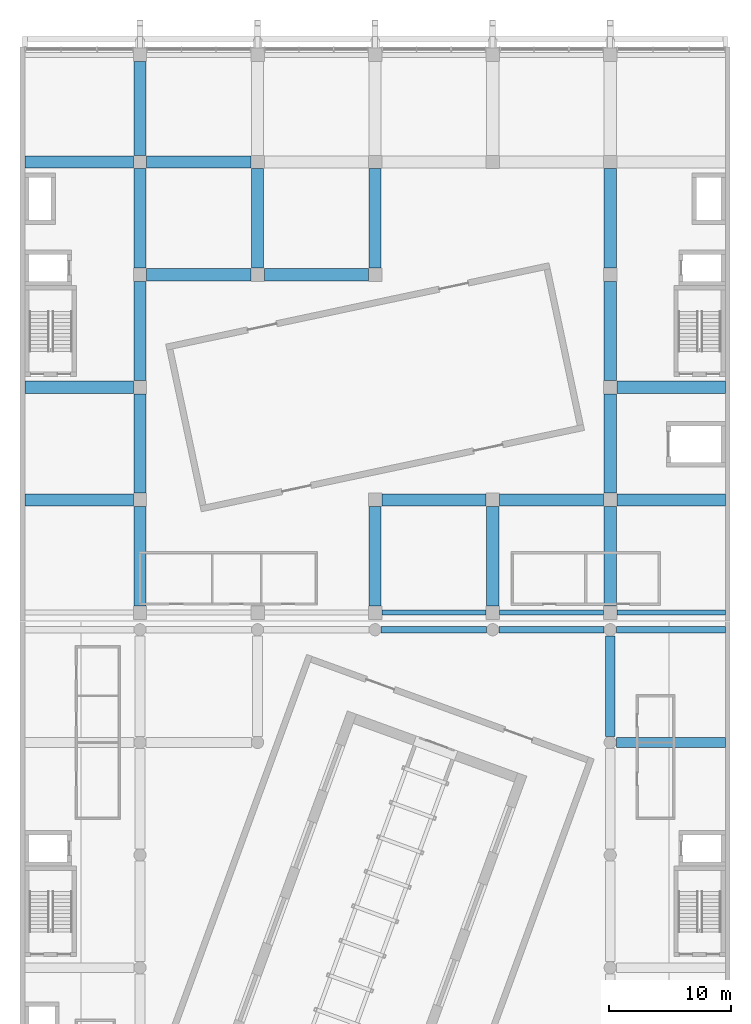
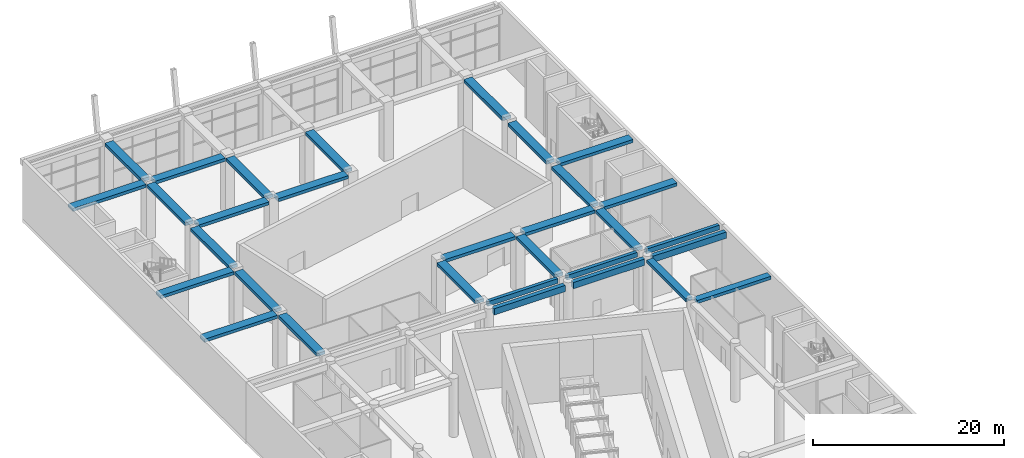
# One storey, part 7 of 36: 31 beams.
"""IFC4 building model written with IfcOpenShell, lengths in metres."""

from ifc_helpers import new_model, si_unit, direction, frame, origin, origin_2d, place, context, subcontext, project, spatial, rectangle, extrude, material, material_profile, profile_set, type_object, element, save


model = new_model("IFC4")

# Units and contexts
model_context = context("Model", 3, precision=1e-05, world=origin(), true_north=direction((0.0, 1.0)))
body_context = subcontext(model_context, "Body", "Model", "MODEL_VIEW")
ifc_project = project(units=[si_unit("LENGTHUNIT", "METRE"), si_unit("AREAUNIT", "SQUARE_METRE"), si_unit("VOLUMEUNIT", "CUBIC_METRE"), si_unit("PLANEANGLEUNIT", "RADIAN"), si_unit("MASSUNIT", "GRAM", prefix="KILO")], contexts=[model_context])

# Site, building, storey
site_placement = place(None, origin())
site = spatial("IfcSite", under=ifc_project, at=site_placement, CompositionType="ELEMENT")
building_placement = place(site_placement, origin())
building = spatial("IfcBuilding", under=site, at=building_placement, Name="Nzadi Deep Aquarium and Research Tower", CompositionType="ELEMENT")
storey_placement = place(building_placement, frame((0.0, 0.0, 14.199951171875)))
storey = spatial("IfcBuildingStorey", under=building, at=storey_placement, Name="L02", CompositionType="ELEMENT", Elevation=14.199951171875)

# Beams
ifc_material_1 = material(Name="Concrete C35/45", Category="concrete")
ifc_material_profile_1 = material_profile(ifc_material_1, rectangle(XDim=1.0, YDim=0.39990234375, at=origin_2d()))
ifc_profile_set_1 = profile_set([ifc_material_profile_1], Name="Concrete C35/45")
beam_type_1 = type_object("IfcBeamType", Name="RC 1000x400", PredefinedType="BEAM", material=ifc_profile_set_1)
beam_1_placement = place(storey_placement, frame((0.199951171875, 104.0, 6.949951171875), z_axis=(1.0, 0.0, 0.0), x_axis=(0.0, 1.0, 0.0)))
element("IfcBeam", 1, at=beam_1_placement, inside=storey, type_object=beam_type_1, Name="B-Z3-L02-L14-1", PredefinedType="BEAM", context=body_context, shape_type="SweptSolid", body=[
    extrude(rectangle(XDim=1.0, YDim=0.39990234375, at=origin_2d()), origin(), (0.0, 0.0, 1.0), 8.85009765625),
])
for number, where, z_axis, x_axis, name in (
    (2, (29.35009765625, 104.0, 6.949951171875), (1.0, 0.0, 0.0), (0.0, 1.0, 0.0), "B-Z3-L02-L14-4"),
    (3, (38.949951171875, 104.0, 6.949951171875), (1.0, 0.0, 0.0), (0.0, 1.0, 0.0), "B-Z3-L02-L14-5"),
):
    element("IfcBeam", number, at=place(storey_placement, frame(where, z_axis=z_axis, x_axis=x_axis)), inside=storey, type_object=beam_type_1, Name=name, PredefinedType="BEAM", context=body_context, shape_type="SweptSolid", body=[
        extrude(rectangle(XDim=1.0, YDim=0.39990234375, at=origin_2d()), origin(), (0.0, 0.0, 1.0), 8.5),
    ])
beam_2_placement = place(storey_placement, frame((48.550048828125, 104.0, 6.949951171875), z_axis=(1.0, 0.0, 0.0), x_axis=(0.0, 1.0, 0.0)))
element("IfcBeam", 4, at=beam_2_placement, inside=storey, type_object=beam_type_1, Name="B-Z3-L02-L14-6", PredefinedType="BEAM", context=body_context, shape_type="SweptSolid", body=[
    extrude(rectangle(XDim=1.0, YDim=0.39990234375, at=origin_2d()), origin(), (0.0, 0.0, 1.0), 8.849853515625),
])
beam_3_placement = place(storey_placement, frame((0.199951171875, 113.199951171875, 6.949951171875), z_axis=(1.0, 0.0, 0.0), x_axis=(0.0, 1.0, 0.0)))
element("IfcBeam", 5, at=beam_3_placement, inside=storey, type_object=beam_type_1, Name="B-Z3-L02-L15-1", PredefinedType="BEAM", context=body_context, shape_type="SweptSolid", body=[
    extrude(rectangle(XDim=1.0, YDim=0.39990234375, at=origin_2d()), origin(), (0.0, 0.0, 1.0), 8.85009765625),
])
beam_4_placement = place(storey_placement, frame((48.550048828125, 113.199951171875, 6.949951171875), z_axis=(1.0, 0.0, 0.0), x_axis=(0.0, 1.0, 0.0)))
element("IfcBeam", 6, at=beam_4_placement, inside=storey, type_object=beam_type_1, Name="B-Z3-L02-L15-6", PredefinedType="BEAM", context=body_context, shape_type="SweptSolid", body=[
    extrude(rectangle(XDim=1.0, YDim=0.39990234375, at=origin_2d()), origin(), (0.0, 0.0, 1.0), 8.849853515625),
])
for number, where, z_axis, x_axis, name in (
    (7, (10.14990234375, 122.39990234375, 6.949951171875), (1.0, 0.0, 0.0), (0.0, 1.0, 0.0), "B-Z3-L02-L16-2"),
    (8, (19.75, 122.39990234375, 6.949951171875), (1.0, 0.0, 0.0), (0.0, 1.0, 0.0), "B-Z3-L02-L16-3"),
):
    element("IfcBeam", number, at=place(storey_placement, frame(where, z_axis=z_axis, x_axis=x_axis)), inside=storey, type_object=beam_type_1, Name=name, PredefinedType="BEAM", context=body_context, shape_type="SweptSolid", body=[
        extrude(rectangle(XDim=1.0, YDim=0.39990234375, at=origin_2d()), origin(), (0.0, 0.0, 1.0), 8.5),
    ])
beam_5_placement = place(storey_placement, frame((0.199951171875, 131.60009765625, 6.949951171875), z_axis=(1.0, 0.0, 0.0), x_axis=(0.0, 1.0, 0.0)))
element("IfcBeam", 9, at=beam_5_placement, inside=storey, type_object=beam_type_1, Name="B-Z3-L02-L17-1", PredefinedType="BEAM", context=body_context, shape_type="SweptSolid", body=[
    extrude(rectangle(XDim=1.0, YDim=0.39990234375, at=origin_2d()), origin(), (0.0, 0.0, 1.0), 8.85009765625),
])
beam_6_placement = place(storey_placement, frame((10.14990234375, 131.60009765625, 6.949951171875), z_axis=(1.0, 0.0, 0.0), x_axis=(0.0, 1.0, 0.0)))
element("IfcBeam", 10, at=beam_6_placement, inside=storey, type_object=beam_type_1, Name="B-Z3-L02-L17-2", PredefinedType="BEAM", context=body_context, shape_type="SweptSolid", body=[
    extrude(rectangle(XDim=1.0, YDim=0.39990234375, at=origin_2d()), origin(), (0.0, 0.0, 1.0), 8.5),
])
for number, where, z_axis, x_axis, name in (
    (11, (9.60009765625, 95.35009765625, 6.949951171875), (0.0, 1.0, 0.0), (-1.0, 0.0, 0.0), "B-Z3-L02-CB-1-13"),
    (12, (9.60009765625, 104.550048828125, 6.949951171875), (0.0, 1.0, 0.0), (-1.0, 0.0, 0.0), "B-Z3-L02-CB-2-13"),
):
    element("IfcBeam", number, at=place(storey_placement, frame(where, z_axis=z_axis, x_axis=x_axis)), inside=storey, type_object=beam_type_1, Name=name, PredefinedType="BEAM", context=body_context, shape_type="SweptSolid", body=[
        extrude(rectangle(XDim=1.0, YDim=0.39990234375, at=origin_2d()), origin(), (0.0, 0.0, 1.0), 8.099853515625),
    ])
for number, where, z_axis, x_axis, name in (
    (13, (9.60009765625, 113.75, 6.949951171875), (0.0, 1.0, 0.0), (-1.0, 0.0, 0.0), "B-Z3-L02-CB-3-13"),
    (14, (9.60009765625, 122.949951171875, 6.949951171875), (0.0, 1.0, 0.0), (-1.0, 0.0, 0.0), "B-Z3-L02-CB-4-13"),
):
    element("IfcBeam", number, at=place(storey_placement, frame(where, z_axis=z_axis, x_axis=x_axis)), inside=storey, type_object=beam_type_1, Name=name, PredefinedType="BEAM", context=body_context, shape_type="SweptSolid", body=[
        extrude(rectangle(XDim=1.0, YDim=0.39990234375, at=origin_2d()), origin(), (0.0, 0.0, 1.0), 8.10009765625),
    ])
beam_7_placement = place(storey_placement, frame((9.60009765625, 132.14990234375, 6.949951171875), z_axis=(0.0, 1.0, 0.0), x_axis=(-1.0, 0.0, 0.0)))
element("IfcBeam", 15, at=beam_7_placement, inside=storey, type_object=beam_type_1, Name="B-Z3-L02-CB-5-13", PredefinedType="BEAM", context=body_context, shape_type="SweptSolid", body=[
    extrude(rectangle(XDim=1.0, YDim=0.39990234375, at=origin_2d()), origin(), (0.0, 0.0, 1.0), 7.650146484375),
])
beam_8_placement = place(storey_placement, frame((19.199951171875, 122.949951171875, 6.949951171875), z_axis=(0.0, 1.0, 0.0), x_axis=(-1.0, 0.0, 0.0)))
element("IfcBeam", 16, at=beam_8_placement, inside=storey, type_object=beam_type_1, Name="B-Z3-L02-CC-4-13", PredefinedType="BEAM", context=body_context, shape_type="SweptSolid", body=[
    extrude(rectangle(XDim=1.0, YDim=0.39990234375, at=origin_2d()), origin(), (0.0, 0.0, 1.0), 8.10009765625),
])
beam_9_placement = place(storey_placement, frame((28.800048828125, 95.35009765625, 6.949951171875), z_axis=(0.0, 1.0, 0.0), x_axis=(-1.0, 0.0, 0.0)))
element("IfcBeam", 17, at=beam_9_placement, inside=storey, type_object=beam_type_1, Name="B-Z3-L02-CD-1-13", PredefinedType="BEAM", context=body_context, shape_type="SweptSolid", body=[
    extrude(rectangle(XDim=1.0, YDim=0.39990234375, at=origin_2d()), origin(), (0.0, 0.0, 1.0), 8.099853515625),
])
beam_10_placement = place(storey_placement, frame((28.800048828125, 122.949951171875, 6.949951171875), z_axis=(0.0, 1.0, 0.0), x_axis=(-1.0, 0.0, 0.0)))
element("IfcBeam", 18, at=beam_10_placement, inside=storey, type_object=beam_type_1, Name="B-Z3-L02-CD-4-13", PredefinedType="BEAM", context=body_context, shape_type="SweptSolid", body=[
    extrude(rectangle(XDim=1.0, YDim=0.39990234375, at=origin_2d()), origin(), (0.0, 0.0, 1.0), 8.10009765625),
])
for number, where, z_axis, x_axis, name in (
    (19, (38.39990234375, 95.35009765625, 6.949951171875), (0.0, 1.0, 0.0), (-1.0, 0.0, 0.0), "B-Z3-L02-CE-1-13"),
    (20, (48.0, 95.35009765625, 6.949951171875), (0.0, 1.0, 0.0), (-1.0, 0.0, 0.0), "B-Z3-L02-CF-1-13"),
    (21, (48.0, 104.550048828125, 6.949951171875), (0.0, 1.0, 0.0), (-1.0, 0.0, 0.0), "B-Z3-L02-CF-2-13"),
):
    element("IfcBeam", number, at=place(storey_placement, frame(where, z_axis=z_axis, x_axis=x_axis)), inside=storey, type_object=beam_type_1, Name=name, PredefinedType="BEAM", context=body_context, shape_type="SweptSolid", body=[
        extrude(rectangle(XDim=1.0, YDim=0.39990234375, at=origin_2d()), origin(), (0.0, 0.0, 1.0), 8.099853515625),
    ])
for number, where, z_axis, x_axis, name in (
    (22, (48.0, 113.75, 6.949951171875), (0.0, 1.0, 0.0), (-1.0, 0.0, 0.0), "B-Z3-L02-CF-3-13"),
    (23, (48.0, 122.949951171875, 6.949951171875), (0.0, 1.0, 0.0), (-1.0, 0.0, 0.0), "B-Z3-L02-CF-4-13"),
):
    element("IfcBeam", number, at=place(storey_placement, frame(where, z_axis=z_axis, x_axis=x_axis)), inside=storey, type_object=beam_type_1, Name=name, PredefinedType="BEAM", context=body_context, shape_type="SweptSolid", body=[
        extrude(rectangle(XDim=1.0, YDim=0.39990234375, at=origin_2d()), origin(), (0.0, 0.0, 1.0), 8.10009765625),
    ])
ifc_material_2 = material(Name="Concrete C35/45", Category="concrete")
ifc_material_profile_2 = material_profile(ifc_material_2, rectangle(XDim=0.39990234375, YDim=0.60009765625, at=origin_2d()))
ifc_profile_set_2 = profile_set([ifc_material_profile_2], Name="Concrete C35/45")
beam_type_2 = type_object("IfcBeamType", Name="RC 400x600", PredefinedType="BEAM", material=ifc_profile_set_2)
for number, where, z_axis, x_axis, name in (
    (24, (29.35009765625, 94.800048828125, 6.85009765625), (1.0, 0.0, 0.0), (0.0, 1.0, 0.0), "B-Z3-L02-L13-4"),
    (25, (38.949951171875, 94.800048828125, 6.85009765625), (1.0, 0.0, 0.0), (0.0, 1.0, 0.0), "B-Z3-L02-L13-5"),
):
    element("IfcBeam", number, at=place(storey_placement, frame(where, z_axis=z_axis, x_axis=x_axis)), inside=storey, type_object=beam_type_2, Name=name, PredefinedType="BEAM", context=body_context, shape_type="SweptSolid", body=[
        extrude(rectangle(XDim=0.39990234375, YDim=0.60009765625, at=origin_2d()), origin(), (0.0, 0.0, 1.0), 8.5),
    ])
beam_11_placement = place(storey_placement, frame((48.550048828125, 94.800048828125, 6.85009765625), z_axis=(1.0, 0.0, 0.0), x_axis=(0.0, 1.0, 0.0)))
element("IfcBeam", 26, at=beam_11_placement, inside=storey, type_object=beam_type_2, Name="B-Z3-L02-L13-6", PredefinedType="BEAM", context=body_context, shape_type="SweptSolid", body=[
    extrude(rectangle(XDim=0.39990234375, YDim=0.60009765625, at=origin_2d()), origin(), (0.0, 0.0, 1.0), 8.849853515625),
])
ifc_material_3 = material(Name="Concrete C40/50", Category="concrete")
ifc_material_profile_3 = material_profile(ifc_material_3, rectangle(XDim=0.5, YDim=0.800048828125, at=origin_2d()))
ifc_profile_set_3 = profile_set([ifc_material_profile_3], Name="Concrete C40/50")
beam_type_3 = type_object("IfcBeamType", Name="RC 500x800", PredefinedType="BEAM", material=ifc_profile_set_3)
beam_12_placement = place(storey_placement, frame((29.300048828125, 93.39990234375, 6.75), z_axis=(1.0, 0.0, 0.0), x_axis=(0.0, 1.0, 0.0)))
element("IfcBeam", 27, at=beam_12_placement, inside=storey, type_object=beam_type_3, Name="B-Z2-L02-L12-4", PredefinedType="BEAM", context=body_context, shape_type="SweptSolid", body=[
    extrude(rectangle(XDim=0.5, YDim=0.800048828125, at=origin_2d()), origin(), (0.0, 0.0, 1.0), 8.599853515625),
])
beam_13_placement = place(storey_placement, frame((38.89990234375, 93.39990234375, 6.75), z_axis=(1.0, 0.0, 0.0), x_axis=(0.0, 1.0, 0.0)))
element("IfcBeam", 28, at=beam_13_placement, inside=storey, type_object=beam_type_3, Name="B-Z2-L02-L12-5", PredefinedType="BEAM", context=body_context, shape_type="SweptSolid", body=[
    extrude(rectangle(XDim=0.5, YDim=0.800048828125, at=origin_2d()), origin(), (0.0, 0.0, 1.0), 8.60009765625),
])
beam_14_placement = place(storey_placement, frame((48.5, 93.39990234375, 6.75), z_axis=(1.0, 0.0, 0.0), x_axis=(0.0, 1.0, 0.0)))
element("IfcBeam", 29, at=beam_14_placement, inside=storey, type_object=beam_type_3, Name="B-Z2-L02-L12-6", PredefinedType="BEAM", context=body_context, shape_type="SweptSolid", body=[
    extrude(rectangle(XDim=0.5, YDim=0.800048828125, at=origin_2d()), origin(), (0.0, 0.0, 1.0), 8.89990234375),
])
ifc_material_4 = material(Name="Concrete C35/45", Category="concrete")
ifc_material_profile_4 = material_profile(ifc_material_4, rectangle(XDim=0.800048828125, YDim=0.39990234375, at=origin_2d()))
ifc_profile_set_4 = profile_set([ifc_material_profile_4], Name="Concrete C35/45")
beam_type_4 = type_object("IfcBeamType", Name="RC 800x400", PredefinedType="BEAM", material=ifc_profile_set_4)
beam_15_placement = place(storey_placement, frame((48.5, 84.199951171875, 6.949951171875), z_axis=(1.0, 0.0, 0.0), x_axis=(0.0, 1.0, 0.0)))
element("IfcBeam", 30, at=beam_15_placement, inside=storey, type_object=beam_type_4, Name="B-Z2-L02-L11-6", PredefinedType="BEAM", context=body_context, shape_type="SweptSolid", body=[
    extrude(rectangle(XDim=0.800048828125, YDim=0.39990234375, at=origin_2d()), origin(), (0.0, 0.0, 1.0), 8.89990234375),
])
beam_16_placement = place(storey_placement, frame((48.0, 84.699951171875, 6.949951171875), z_axis=(0.0, 1.0, 0.0), x_axis=(-1.0, 0.0, 0.0)))
element("IfcBeam", 31, at=beam_16_placement, inside=storey, type_object=beam_type_4, Name="B-Z2-L02-CF-5-7", PredefinedType="BEAM", context=body_context, shape_type="SweptSolid", body=[
    extrude(rectangle(XDim=0.800048828125, YDim=0.39990234375, at=origin_2d()), origin(), (0.0, 0.0, 1.0), 8.199951171875),
])

save(model, "model.ifc")
